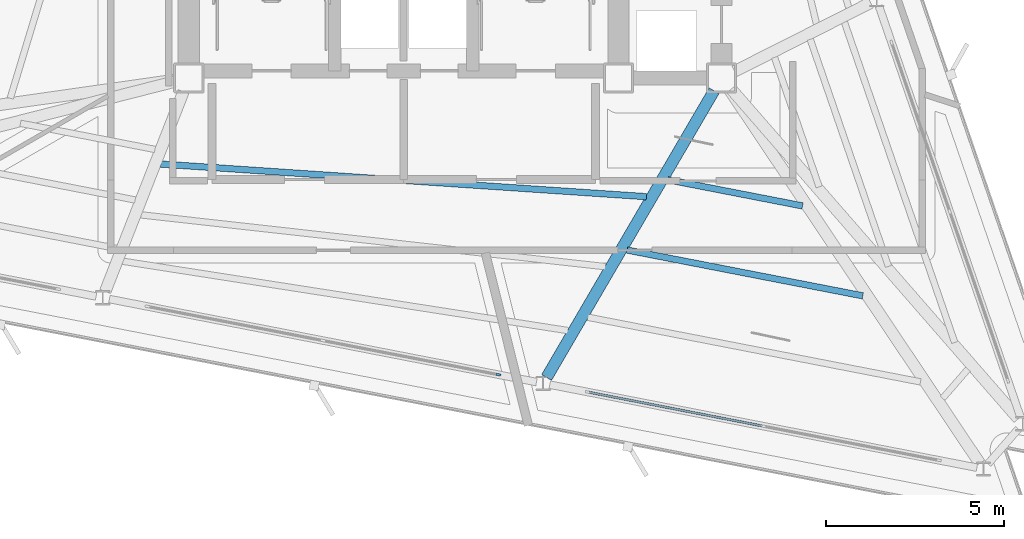
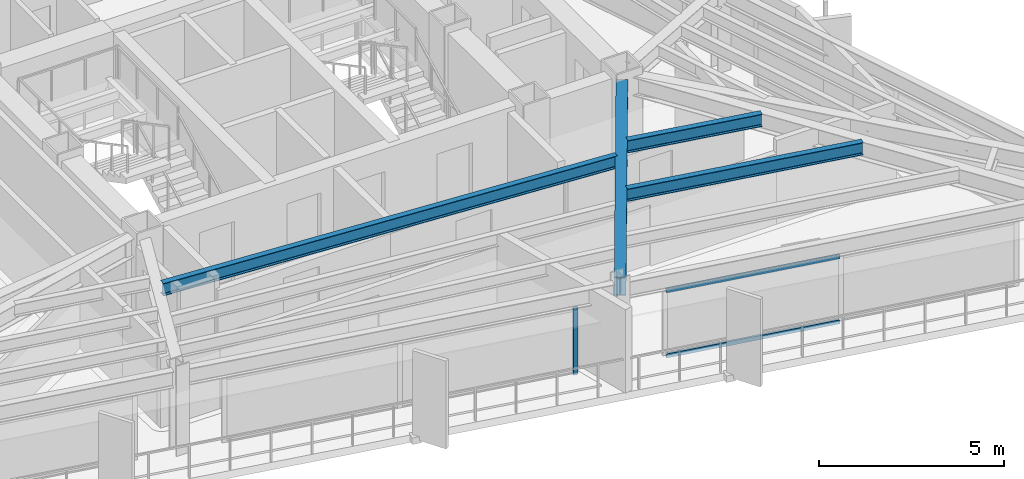
# One storey, part 3 of 13: 4 beams, 3 members, 2 elements without a shape of their own.
"""IFC4 building model written with IfcOpenShell, lengths in metres."""

from ifc_helpers import new_model, si_unit, direction, frame, origin, origin_2d, place, context, subcontext, project, spatial, rectangle, i_section, extrude, material, layer, layer_set, material_profile, profile_set, type_object, element, aggregate, save


model = new_model("IFC4")

# Units and contexts
model_context = context("Model", 3, precision=1e-05, world=origin(), true_north=direction((0.0, 1.0)))
body_context = subcontext(model_context, "Body", "Model", "MODEL_VIEW")
ifc_project = project(units=[si_unit("LENGTHUNIT", "METRE"), si_unit("AREAUNIT", "SQUARE_METRE"), si_unit("VOLUMEUNIT", "CUBIC_METRE"), si_unit("PLANEANGLEUNIT", "RADIAN"), si_unit("MASSUNIT", "GRAM", prefix="KILO")], contexts=[model_context])

# Site, building, storey
site_placement = place(None, origin())
site = spatial("IfcSite", under=ifc_project, at=site_placement, CompositionType="ELEMENT")
building_placement = place(site_placement, origin())
building = spatial("IfcBuilding", under=site, at=building_placement, Name="Rocaltana Carrier Exchange", CompositionType="ELEMENT")
storey_placement = place(building_placement, frame((0.0, 0.0, 150.239990234375)))
storey = spatial("IfcBuildingStorey", under=building, at=storey_placement, Name="L47", CompositionType="ELEMENT", Elevation=150.239990234375)

# Curtain wall, member
ifc_material_1 = material(Name="Aluminium 6063-T6", Category="aluminium")
ifc_layer = layer(ifc_material_1, 0.135009765625)
ifc_layer_set = layer_set([ifc_layer], Name="Aluminium 6063-T6")
curtain_wall_type = type_object("IfcCurtainWallType", Name="Upper-Mid Acoustic Curtain Wall CW-04", PredefinedType="NOTDEFINED", material=ifc_layer_set)
curtain_wall_1_placement = place(storey_placement, origin())
curtain_wall_1 = element("IfcCurtainWall", 1, at=curtain_wall_1_placement, inside=storey, type_object=curtain_wall_type, Name="L47 CW-04 Run CW-L47-F3S2", PredefinedType="NOTDEFINED")
ifc_material_2 = material(Name="Aluminium 6063-T6", Category="aluminium")
ifc_material_profile_1 = material_profile(ifc_material_2, rectangle(XDim=0.06494140625, YDim=0.135009765625, at=origin_2d()), Name="AL-65X135")
ifc_profile_set_1 = profile_set([ifc_material_profile_1], Name="Aluminium 6063-T6")
member_type_1 = type_object("IfcMemberType", Name="CW-04 Mullion AL-65X135", PredefinedType="MULLION", material=ifc_profile_set_1)
member_1_placement = place(storey_placement, frame((2.66845703125, -12.6552734375, 0.0), z_axis=(0.0, 0.0, 1.0), x_axis=(0.190814718784, 0.981626070913, 0.0)))
member_1 = element("IfcMember", 2, at=member_1_placement, type_object=member_type_1, Name="CW-04 mullion 3", PredefinedType="MULLION", context=body_context, shape_type="SweptSolid", body=[
    extrude(rectangle(XDim=0.06494140625, YDim=0.135009765625, at=origin_2d()), origin(), (0.0, 0.0, 1.0), 2.218017578125),
])
aggregate(curtain_wall_1, [member_1])

# Curtain wall, members
curtain_wall_2_placement = place(storey_placement, origin())
curtain_wall_2 = element("IfcCurtainWall", 3, at=curtain_wall_2_placement, inside=storey, type_object=curtain_wall_type, Name="L47 CW-04 Run CW-L47-F3S3", PredefinedType="NOTDEFINED")
ifc_material_3 = material(Name="Aluminium 6063-T6", Category="aluminium")
ifc_material_profile_2 = material_profile(ifc_material_3, rectangle(XDim=0.06494140625, YDim=0.135009765625, at=origin_2d()), Name="AL-65X135")
ifc_profile_set_2 = profile_set([ifc_material_profile_2], Name="Aluminium 6063-T6")
member_type_2 = type_object("IfcMemberType", Name="CW-04 Transom AL-65X135", PredefinedType="USERDEFINED", material=ifc_profile_set_2)
member_2_placement = place(storey_placement, frame((5.21826171875, -13.15087890625, 0.032470703125), z_axis=(0.981624593621, -0.1908223184, 0.0), x_axis=(0.1908223184, 0.981624593621, 0.0)))
member_2 = element("IfcMember", 4, at=member_2_placement, type_object=member_type_2, Name="CW-04 transom 1.1", ObjectType="TRANSOM", PredefinedType="USERDEFINED", context=body_context, shape_type="SweptSolid", body=[
    extrude(rectangle(XDim=0.06494140625, YDim=0.135009765625, at=origin_2d()), origin(), (0.0, 0.0, 1.0), 4.96923828125),
])
member_3_placement = place(storey_placement, frame((5.21826171875, -13.15087890625, 2.185546875), z_axis=(0.981624593621, -0.1908223184, 0.0), x_axis=(0.1908223184, 0.981624593621, 0.0)))
member_3 = element("IfcMember", 5, at=member_3_placement, type_object=member_type_2, Name="CW-04 transom 1.2", ObjectType="TRANSOM", PredefinedType="USERDEFINED", context=body_context, shape_type="SweptSolid", body=[
    extrude(rectangle(XDim=0.06494140625, YDim=0.135009765625, at=origin_2d()), origin(), (0.0, 0.0, 1.0), 4.96923828125),
])
aggregate(curtain_wall_2, [member_2, member_3])

# Beams
ifc_material_4 = material(Name="Steel S355", Category="steel")
ifc_material_profile_3 = material_profile(ifc_material_4, i_section(OverallWidth=0.179931640625, OverallDepth=0.4130859375, WebThickness=0.009765625, FlangeThickness=0.01611328125, FilletRadius=0.012939453125, at=origin_2d()), Name="W16X50")
ifc_profile_set_3 = profile_set([ifc_material_profile_3], Name="Steel S355")
beam_type_1 = type_object("IfcBeamType", Name="Floor Joist W16X50", PredefinedType="JOIST", material=ifc_profile_set_3)
beam_1_placement = place(storey_placement, frame((-6.839599609375, -6.724365234375, 2.58154296875), z_axis=(0.997748594569, -0.067065207337, 0.0), x_axis=(0.067065207337, 0.997748594569, 0.0)))
element("IfcBeam", 6, at=beam_1_placement, inside=storey, type_object=beam_type_1, Name="FJ-L47-10-1", PredefinedType="JOIST", context=body_context, shape_type="SweptSolid", body=[
    extrude(i_section(OverallWidth=0.179931640625, OverallDepth=0.4130859375, WebThickness=0.009765625, FlangeThickness=0.01611328125, FilletRadius=0.012939453125, at=origin_2d()), origin(), (0.0, 0.0, 1.0), 13.705810546875),
])
beam_2_placement = place(storey_placement, frame((7.44580078125, -7.167724609375, 2.58154296875), z_axis=(0.981618354608, -0.190854410211, 0.0), x_axis=(0.190854410211, 0.981618354608, 0.0)))
element("IfcBeam", 7, at=beam_2_placement, inside=storey, type_object=beam_type_1, Name="FJ-L47-11-1", PredefinedType="JOIST", context=body_context, shape_type="SweptSolid", body=[
    extrude(i_section(OverallWidth=0.179931640625, OverallDepth=0.4130859375, WebThickness=0.009765625, FlangeThickness=0.01611328125, FilletRadius=0.012939453125, at=origin_2d()), origin(), (0.0, 0.0, 1.0), 3.856689453125),
])
beam_3_placement = place(storey_placement, frame((6.29052734375, -9.145751953125, 2.58154296875), z_axis=(0.981629854201, -0.190795255028, 0.0), x_axis=(0.190795255028, 0.981629854201, 0.0)))
element("IfcBeam", 8, at=beam_3_placement, inside=storey, type_object=beam_type_1, Name="FJ-L47-11-2", PredefinedType="JOIST", context=body_context, shape_type="SweptSolid", body=[
    extrude(i_section(OverallWidth=0.179931640625, OverallDepth=0.4130859375, WebThickness=0.009765625, FlangeThickness=0.01611328125, FilletRadius=0.012939453125, at=origin_2d()), origin(), (0.0, 0.0, 1.0), 6.7626953125),
])
ifc_material_5 = material(Name="Steel S355", Category="steel")
ifc_material_profile_4 = material_profile(ifc_material_5, i_section(OverallWidth=0.323974609375, OverallDepth=0.611083984375, WebThickness=0.0126953125, FlangeThickness=0.01904296875, FilletRadius=0.01611328125, at=origin_2d()), Name="W24X104")
ifc_profile_set_4 = profile_set([ifc_material_profile_4], Name="Steel S355")
beam_type_2 = type_object("IfcBeamType", Name="Radial Girder W24X104", PredefinedType="BEAM", material=ifc_profile_set_4)
beam_4_placement = place(storey_placement, frame((8.73974609375, -4.66015625, 2.482421875), z_axis=(-0.504327123858, -0.863512682096, 0.0), x_axis=(0.863512682096, -0.504327123858, 0.0)))
element("IfcBeam", 9, at=beam_4_placement, inside=storey, type_object=beam_type_2, Name="RG-L47-11", PredefinedType="BEAM", context=body_context, shape_type="SweptSolid", body=[
    extrude(i_section(OverallWidth=0.323974609375, OverallDepth=0.611083984375, WebThickness=0.0126953125, FlangeThickness=0.01904296875, FilletRadius=0.01611328125, at=origin_2d()), origin(), (0.0, 0.0, 1.0), 9.350830078125),
])

save(model, "model.ifc")
